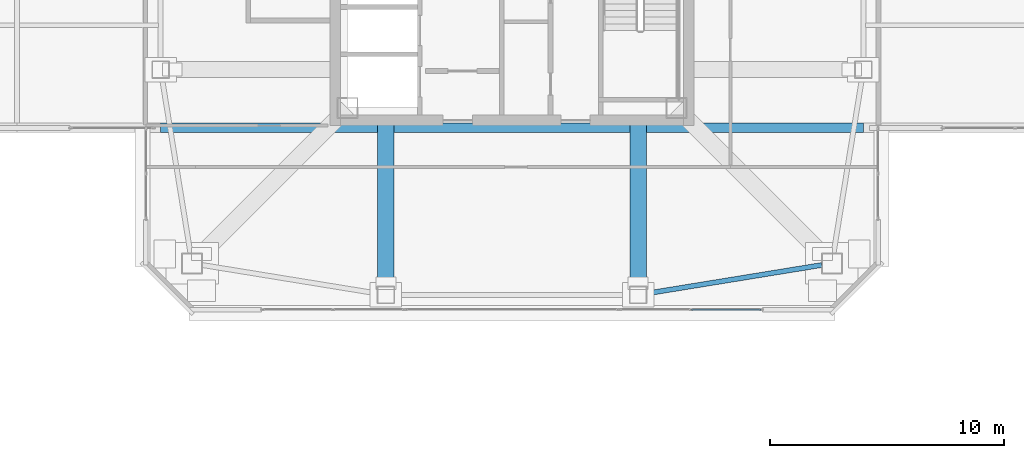
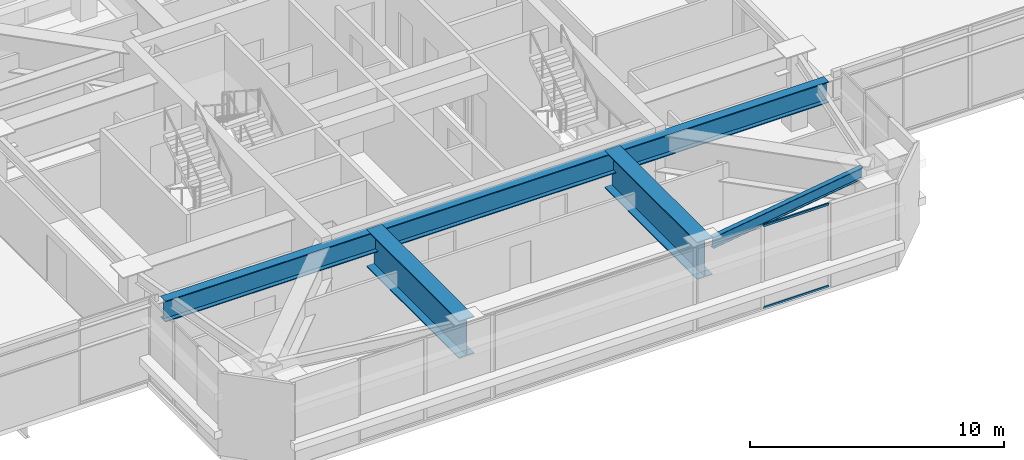
# One storey, part 11 of 51: 4 beams, 2 members, 1 element without a shape of its own.
"""IFC4 building model written with IfcOpenShell, lengths in metres."""

from ifc_helpers import new_model, si_unit, direction, frame, origin, origin_2d, place, context, subcontext, project, spatial, hollow_rectangle, i_section, extrude, material, material_profile, profile_set, type_object, element, aggregate, save


model = new_model("IFC4")

# Units and contexts
model_context = context("Model", 3, precision=1e-05, world=origin(), true_north=direction((0.0, 1.0)))
body_context = subcontext(model_context, "Body", "Model", "MODEL_VIEW")
ifc_project = project(units=[si_unit("LENGTHUNIT", "METRE"), si_unit("AREAUNIT", "SQUARE_METRE"), si_unit("VOLUMEUNIT", "CUBIC_METRE"), si_unit("PLANEANGLEUNIT", "RADIAN"), si_unit("MASSUNIT", "GRAM", prefix="KILO")], contexts=[model_context])

# Site, building, storey
site_placement = place(None, origin())
site = spatial("IfcSite", under=ifc_project, at=site_placement, CompositionType="ELEMENT")
building_placement = place(site_placement, origin())
building = spatial("IfcBuilding", under=site, at=building_placement, Name="Tashvorn Skyway Center", CompositionType="ELEMENT")
storey_placement = place(building_placement, frame((0.0, 0.0, 259.39990234375)))
storey = spatial("IfcBuildingStorey", under=building, at=storey_placement, Name="L70", CompositionType="ELEMENT", Elevation=259.39990234375)

# Beams
ifc_material_1 = material(Name="Steel ASTM A572 Grade 50", Category="steel")
ifc_material_profile_1 = material_profile(ifc_material_1, i_section(OverallWidth=0.699951171875, OverallDepth=1.800048828125, WebThickness=0.031982421875, FlangeThickness=0.050048828125, at=origin_2d()), Name="PG1800x700")
ifc_profile_set_1 = profile_set([ifc_material_profile_1], Name="Steel ASTM A572 Grade 50")
beam_type_1 = type_object("IfcBeamType", Name="BM-BEAM-PG1800x700", PredefinedType="BEAM", material=ifc_profile_set_1)
for number, where, z_axis, x_axis, name in (
    (1, (36.60009765625, 16.949951171875, 2.800048828125), (0.0, 1.0, 0.0), (-1.0, 0.0, 0.0), "Tower 1 L70 Setback Transfer Girder FC-S1"),
    (2, (47.39990234375, 16.949951171875, 2.800048828125), (0.0, 1.0, 0.0), (-1.0, 0.0, 0.0), "Tower 1 L70 Setback Transfer Girder FC-S2"),
):
    element("IfcBeam", number, at=place(storey_placement, frame(where, z_axis=z_axis, x_axis=x_axis)), inside=storey, type_object=beam_type_1, Name=name, PredefinedType="BEAM", context=body_context, shape_type="SweptSolid", body=[
        extrude(i_section(OverallWidth=0.699951171875, OverallDepth=1.800048828125, WebThickness=0.031982421875, FlangeThickness=0.050048828125, at=origin_2d()), origin(), (0.0, 0.0, 1.0), 7.27001953125),
    ])
ifc_material_2 = material(Name="Steel ASTM A913 Grade 65", Category="steel")
ifc_material_profile_2 = material_profile(ifc_material_2, i_section(OverallWidth=0.40087890625, OverallDepth=1.010986328125, WebThickness=0.023681640625, FlangeThickness=0.0419921875, at=origin_2d()), Name="W40X297")
ifc_profile_set_2 = profile_set([ifc_material_profile_2], Name="Steel ASTM A913 Grade 65")
beam_type_2 = type_object("IfcBeamType", Name="BM-BEAM-W40X297", PredefinedType="BEAM", material=ifc_profile_set_2)
beam_1_placement = place(storey_placement, frame((26.949951171875, 24.10009765625, 3.194580078125), z_axis=(1.0, 0.0, 0.0), x_axis=(0.0, 1.0, 0.0)))
element("IfcBeam", 3, at=beam_1_placement, inside=storey, type_object=beam_type_2, Name="Sky-Park Truss 1 Top Chord Panel 05", PredefinedType="BEAM", context=body_context, shape_type="SweptSolid", body=[
    extrude(i_section(OverallWidth=0.40087890625, OverallDepth=1.010986328125, WebThickness=0.023681640625, FlangeThickness=0.0419921875, at=origin_2d()), origin(), (0.0, 0.0, 1.0), 30.10009765625),
])
ifc_material_3 = material(Name="Steel ASTM A992 Grade 50", Category="steel")
ifc_material_profile_3 = material_profile(ifc_material_3, i_section(OverallWidth=0.2109375, OverallDepth=0.5390625, WebThickness=0.01171875, FlangeThickness=0.018798828125, at=origin_2d()), Name="W21X73")
ifc_profile_set_3 = profile_set([ifc_material_profile_3], Name="Steel ASTM A992 Grade 50")
beam_type_3 = type_object("IfcBeamType", Name="BM-SPANDREL-W21X73", PredefinedType="SPANDREL", material=ifc_profile_set_3)
beam_2_placement = place(storey_placement, frame((47.76513671875, 17.009521484375, 3.4306640625), z_axis=(0.987032749583, 0.160519005885, 0.0), x_axis=(-0.160519005885, 0.987032749583, 0.0)))
element("IfcBeam", 4, at=beam_2_placement, inside=storey, type_object=beam_type_3, Name="Tower 1 L70 Spandrel Beam 03", PredefinedType="SPANDREL", context=body_context, shape_type="SweptSolid", body=[
    extrude(i_section(OverallWidth=0.2109375, OverallDepth=0.5390625, WebThickness=0.01171875, FlangeThickness=0.018798828125, at=origin_2d()), origin(), (0.0, 0.0, 1.0), 7.593994140625),
])

# Curtain wall, members
ifc_material_4 = material(Name="Thermally broken bronze-anodized aluminium 6063-T6", Category="aluminium")
curtain_wall_type = type_object("IfcCurtainWallType", Name="CW-CW-SKY", PredefinedType="NOTDEFINED", material=ifc_material_4)
curtain_wall_placement = place(storey_placement, origin())
curtain_wall = element("IfcCurtainWall", 5, at=curtain_wall_placement, inside=storey, type_object=curtain_wall_type, Name="Tower 1 L70 South Unitised Curtain Wall Glazing Group 1", PredefinedType="NOTDEFINED")
ifc_material_profile_4 = material_profile(ifc_material_4, hollow_rectangle(XDim=0.06494140625, YDim=0.10498046875, WallThickness=0.00390625, at=origin_2d()), Name="ALU-TRAN-65x105")
ifc_profile_set_4 = profile_set([ifc_material_profile_4], Name="Thermally broken bronze-anodized aluminium 6063-T6")
member_type = type_object("IfcMemberType", Name="CWT-CW-SKY", PredefinedType="USERDEFINED", material=ifc_profile_set_4)
member_1_placement = place(storey_placement, frame((52.65283203125, 16.320068359375, 0.03271484375), z_axis=(-1.0, 0.0, 0.0), x_axis=(0.0, -1.0, 0.0)))
member_1 = element("IfcMember", 6, at=member_1_placement, type_object=member_type, Name="CW-SKY transom 1.1", ObjectType="TRANSOM", PredefinedType="USERDEFINED", context=body_context, shape_type="SweptSolid", body=[
    extrude(hollow_rectangle(XDim=0.06494140625, YDim=0.10498046875, WallThickness=0.00390625, at=origin_2d()), origin(), (0.0, 0.0, 1.0), 2.96484375),
])
member_2_placement = place(storey_placement, frame((52.65283203125, 16.320068359375, 3.967529296875), z_axis=(-1.0, 0.0, 0.0), x_axis=(0.0, -1.0, 0.0)))
member_2 = element("IfcMember", 7, at=member_2_placement, type_object=member_type, Name="CW-SKY transom 1.2", ObjectType="TRANSOM", PredefinedType="USERDEFINED", context=body_context, shape_type="SweptSolid", body=[
    extrude(hollow_rectangle(XDim=0.06494140625, YDim=0.10498046875, WallThickness=0.00390625, at=origin_2d()), origin(), (0.0, 0.0, 1.0), 2.96484375),
])
aggregate(curtain_wall, [member_1, member_2])

save(model, "model.ifc")
